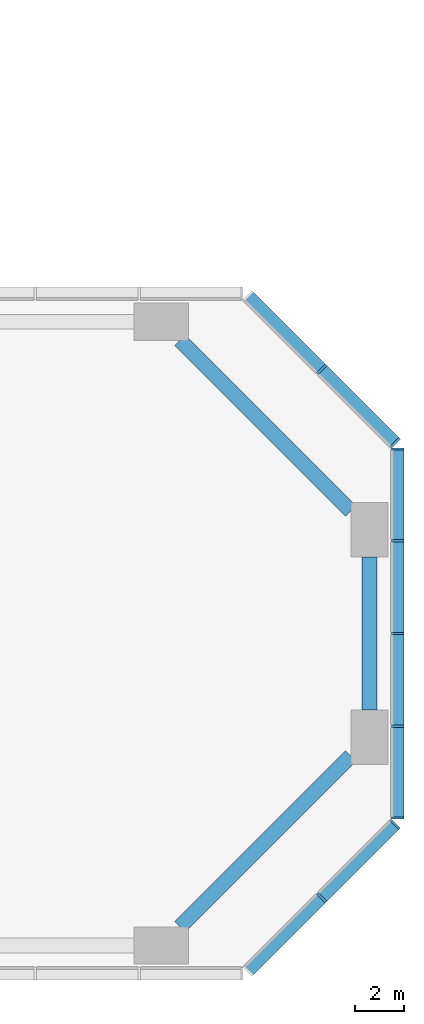
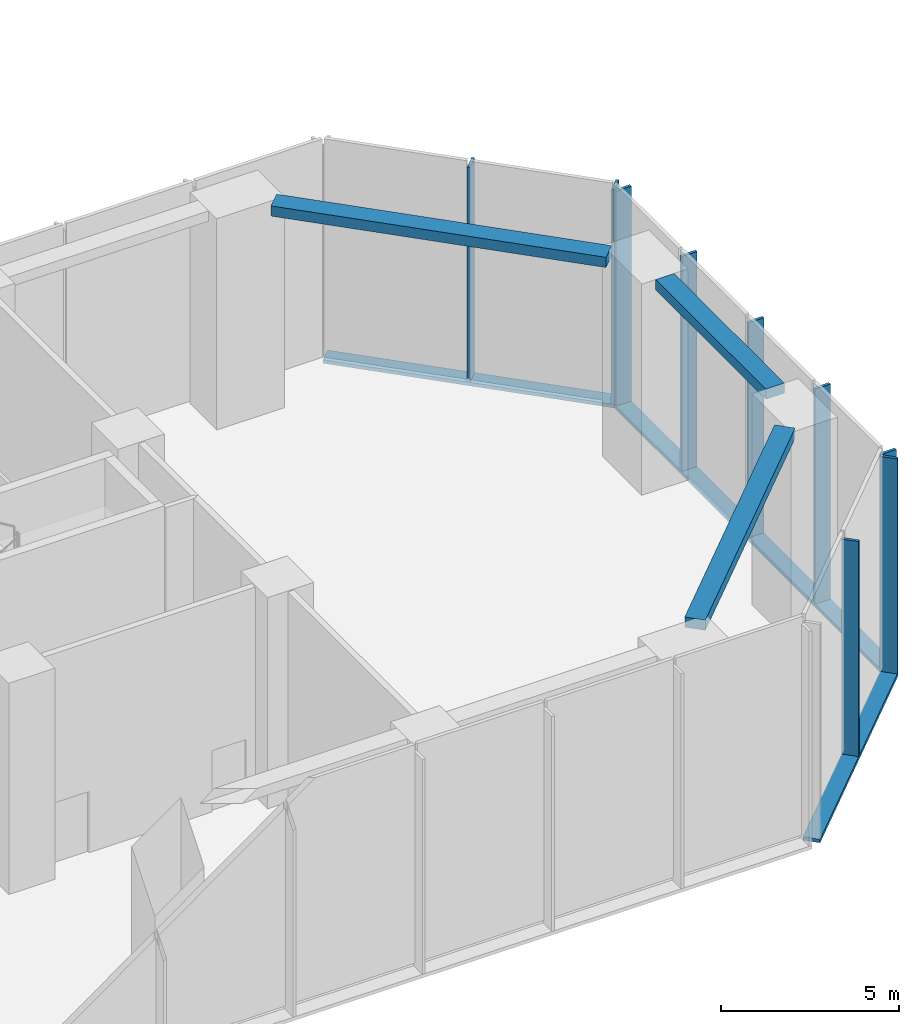
# One storey, part 4 of 16: 12 members, 3 beams, 3 elements without a shape of their own.
"""IFC4 building model written with IfcOpenShell, lengths in metres."""

from ifc_helpers import new_model, si_unit, direction, frame, origin, origin_2d, place, context, subcontext, project, spatial, rectangle, extrude, material, material_profile, profile_set, type_object, element, aggregate, save


model = new_model("IFC4")

# Units and contexts
model_context = context("Model", 3, precision=1e-05, world=origin(), true_north=direction((0.0, 1.0)))
body_context = subcontext(model_context, "Body", "Model", "MODEL_VIEW")
ifc_project = project(units=[si_unit("LENGTHUNIT", "METRE"), si_unit("AREAUNIT", "SQUARE_METRE"), si_unit("VOLUMEUNIT", "CUBIC_METRE"), si_unit("PLANEANGLEUNIT", "RADIAN"), si_unit("MASSUNIT", "GRAM", prefix="KILO")], contexts=[model_context])

# Site, building, storey
site_placement = place(None, origin())
site = spatial("IfcSite", under=ifc_project, at=site_placement, CompositionType="ELEMENT")
building_placement = place(site_placement, origin())
building = spatial("IfcBuilding", under=site, at=building_placement, Name="Brevane Broadcast Tower", CompositionType="ELEMENT")
storey_placement = place(building_placement, frame((0.0, 0.0, 12.5)))
storey = spatial("IfcBuildingStorey", under=building, at=storey_placement, Name="L02", CompositionType="ELEMENT", Elevation=12.5)

# Curtain wall, members
ifc_material_1 = material(Name="Aluminium 6063-T6 bronze anodised", Category="aluminium")
curtain_wall_type = type_object("IfcCurtainWallType", Name="CW-2 curtain wall", PredefinedType="NOTDEFINED", material=ifc_material_1)
curtain_wall_1_placement = place(storey_placement, origin())
curtain_wall_1 = element("IfcCurtainWall", 1, at=curtain_wall_1_placement, inside=storey, type_object=curtain_wall_type, Name="CW-2 podium base unit L02 south-east chamfer", PredefinedType="NOTDEFINED")
ifc_material_profile_1 = material_profile(ifc_material_1, rectangle(XDim=0.5, YDim=0.090087890625, at=origin_2d()), Name="RECT 90x500")
ifc_profile_set_1 = profile_set([ifc_material_profile_1], Name="Aluminium 6063-T6 bronze anodised")
member_type_1 = type_object("IfcMemberType", Name="CW-2 mullion 90x500", PredefinedType="MULLION", material=ifc_profile_set_1)
member_1_placement = place(storey_placement, frame((65.27685546875, 1.92333984375, -0.1298828125), z_axis=(0.0, 0.0, 1.0), x_axis=(-0.707106781187, 0.707106781187, 0.0)))
member_1 = element("IfcMember", 2, at=member_1_placement, type_object=member_type_1, Name="CW-2 mullion", PredefinedType="MULLION", context=body_context, shape_type="SweptSolid", body=[
    extrude(rectangle(XDim=0.5, YDim=0.090087890625, at=origin_2d()), origin(), (0.0, 0.0, 1.0), 7.3798828125),
])
member_2_placement = place(storey_placement, frame((68.244873046875, 4.891357421875, -0.1298828125), z_axis=(0.0, 0.0, 1.0), x_axis=(-0.707106781187, 0.707106781187, 0.0)))
member_2 = element("IfcMember", 3, at=member_2_placement, type_object=member_type_1, Name="CW-2 mullion", PredefinedType="MULLION", context=body_context, shape_type="SweptSolid", body=[
    extrude(rectangle(XDim=0.5, YDim=0.090087890625, at=origin_2d()), origin(), (0.0, 0.0, 1.0), 7.3798828125),
])

curtain_wall_2_placement = place(storey_placement, origin())
curtain_wall_2 = element("IfcCurtainWall", 4, at=curtain_wall_2_placement, inside=storey, type_object=curtain_wall_type, Name="CW-2 podium base unit L02 east end", PredefinedType="NOTDEFINED")
member_3_placement = place(storey_placement, frame((68.35009765625, 5.14501953125, -0.1298828125), z_axis=(0.0, 0.0, 1.0), x_axis=(-1.0, 0.0, 0.0)))
member_3 = element("IfcMember", 5, at=member_3_placement, type_object=member_type_1, Name="CW-2 mullion", PredefinedType="MULLION", context=body_context, shape_type="SweptSolid", body=[
    extrude(rectangle(XDim=0.5, YDim=0.090087890625, at=origin_2d()), origin(), (0.0, 0.0, 1.0), 7.3798828125),
])
member_4_placement = place(storey_placement, frame((68.35009765625, 8.85009765625, -0.1298828125), z_axis=(0.0, 0.0, 1.0), x_axis=(-1.0, 0.0, 0.0)))
member_4 = element("IfcMember", 6, at=member_4_placement, type_object=member_type_1, Name="CW-2 mullion", PredefinedType="MULLION", context=body_context, shape_type="SweptSolid", body=[
    extrude(rectangle(XDim=0.5, YDim=0.090087890625, at=origin_2d()), origin(), (0.0, 0.0, 1.0), 7.3798828125),
])
member_5_placement = place(storey_placement, frame((68.35009765625, 12.60009765625, -0.1298828125), z_axis=(0.0, 0.0, 1.0), x_axis=(-1.0, 0.0, 0.0)))
member_5 = element("IfcMember", 7, at=member_5_placement, type_object=member_type_1, Name="CW-2 mullion", PredefinedType="MULLION", context=body_context, shape_type="SweptSolid", body=[
    extrude(rectangle(XDim=0.5, YDim=0.090087890625, at=origin_2d()), origin(), (0.0, 0.0, 1.0), 7.3798828125),
])
member_6_placement = place(storey_placement, frame((68.35009765625, 16.35009765625, -0.1298828125), z_axis=(0.0, 0.0, 1.0), x_axis=(-1.0, 0.0, 0.0)))
member_6 = element("IfcMember", 8, at=member_6_placement, type_object=member_type_1, Name="CW-2 mullion", PredefinedType="MULLION", context=body_context, shape_type="SweptSolid", body=[
    extrude(rectangle(XDim=0.5, YDim=0.090087890625, at=origin_2d()), origin(), (0.0, 0.0, 1.0), 7.3798828125),
])
member_7_placement = place(storey_placement, frame((68.35009765625, 20.054931640625, -0.1298828125), z_axis=(0.0, 0.0, 1.0), x_axis=(-1.0, 0.0, 0.0)))
member_7 = element("IfcMember", 9, at=member_7_placement, type_object=member_type_1, Name="CW-2 mullion", PredefinedType="MULLION", context=body_context, shape_type="SweptSolid", body=[
    extrude(rectangle(XDim=0.5, YDim=0.090087890625, at=origin_2d()), origin(), (0.0, 0.0, 1.0), 7.3798828125),
])

curtain_wall_3_placement = place(storey_placement, origin())
curtain_wall_3 = element("IfcCurtainWall", 10, at=curtain_wall_3_placement, inside=storey, type_object=curtain_wall_type, Name="CW-2 podium base unit L02 north-east chamfer", PredefinedType="NOTDEFINED")
member_8_placement = place(storey_placement, frame((68.244873046875, 20.30859375, -0.1298828125), z_axis=(0.0, 0.0, 1.0), x_axis=(-0.707106781187, -0.707106781187, 0.0)))
member_8 = element("IfcMember", 11, at=member_8_placement, type_object=member_type_1, Name="CW-2 mullion", PredefinedType="MULLION", context=body_context, shape_type="SweptSolid", body=[
    extrude(rectangle(XDim=0.5, YDim=0.090087890625, at=origin_2d()), origin(), (0.0, 0.0, 1.0), 7.3798828125),
])
member_9_placement = place(storey_placement, frame((65.27685546875, 23.27685546875, -0.1298828125), z_axis=(0.0, 0.0, 1.0), x_axis=(-0.707106781187, -0.707106781187, 0.0)))
member_9 = element("IfcMember", 12, at=member_9_placement, type_object=member_type_1, Name="CW-2 mullion", PredefinedType="MULLION", context=body_context, shape_type="SweptSolid", body=[
    extrude(rectangle(XDim=0.5, YDim=0.090087890625, at=origin_2d()), origin(), (0.0, 0.0, 1.0), 7.3798828125),
])

# Member
ifc_material_profile_2 = material_profile(ifc_material_1, rectangle(XDim=0.5, YDim=0.1201171875, at=origin_2d()), Name="RECT 120x500")
ifc_profile_set_2 = profile_set([ifc_material_profile_2], Name="Aluminium 6063-T6 bronze anodised")
member_type_2 = type_object("IfcMemberType", Name="CW-2 transom 120x500", PredefinedType="USERDEFINED", material=ifc_profile_set_2)
member_10_placement = place(storey_placement, frame((62.27685546875, -1.07666015625, -0.18994140625), z_axis=(0.707106781187, 0.707106781187, 0.0), x_axis=(-0.707106781187, 0.707106781187, 0.0)))
member_10 = element("IfcMember", 13, at=member_10_placement, type_object=member_type_2, Name="CW-2 transom", ObjectType="TRANSOM", PredefinedType="USERDEFINED", context=body_context, shape_type="SweptSolid", body=[
    extrude(rectangle(XDim=0.5, YDim=0.1201171875, at=origin_2d()), origin(), (0.0, 0.0, 1.0), 8.4853515625),
])

aggregate(curtain_wall_1, [member_1, member_2, member_10])

member_11_placement = place(storey_placement, frame((68.35009765625, 5.10009765625, -0.18994140625), z_axis=(0.0, 1.0, 0.0), x_axis=(-1.0, 0.0, 0.0)))
member_11 = element("IfcMember", 14, at=member_11_placement, type_object=member_type_2, Name="CW-2 transom", ObjectType="TRANSOM", PredefinedType="USERDEFINED", context=body_context, shape_type="SweptSolid", body=[
    extrude(rectangle(XDim=0.5, YDim=0.1201171875, at=origin_2d()), origin(), (0.0, 0.0, 1.0), 15.0),
])

aggregate(curtain_wall_2, [member_3, member_4, member_5, member_6, member_7, member_11])

member_12_placement = place(storey_placement, frame((68.27685546875, 20.27685546875, -0.18994140625), z_axis=(-0.707106781187, 0.707106781187, 0.0), x_axis=(-0.707106781187, -0.707106781187, 0.0)))
member_12 = element("IfcMember", 15, at=member_12_placement, type_object=member_type_2, Name="CW-2 transom", ObjectType="TRANSOM", PredefinedType="USERDEFINED", context=body_context, shape_type="SweptSolid", body=[
    extrude(rectangle(XDim=0.5, YDim=0.1201171875, at=origin_2d()), origin(), (0.0, 0.0, 1.0), 8.4853515625),
])

aggregate(curtain_wall_3, [member_8, member_9, member_12])

# Beams
ifc_material_2 = material(Name="Concrete C40/50", Category="concrete")
ifc_material_profile_3 = material_profile(ifc_material_2, rectangle(XDim=0.60009765625, YDim=0.35009765625, at=origin_2d()), Name="RC 600x350")
ifc_profile_set_3 = profile_set([ifc_material_profile_3], Name="Concrete C40/50")
beam_type = type_object("IfcBeamType", Name="RC SPANDREL BEAM 600x350 C40/50", PredefinedType="SPANDREL", material=ifc_profile_set_3)
beam_1_placement = place(storey_placement, frame((59.550048828125, 0.75, 7.074951171875), z_axis=(0.707106781187, 0.707106781187, 0.0), x_axis=(-0.707106781187, 0.707106781187, 0.0)))
element("IfcBeam", 16, at=beam_1_placement, inside=storey, type_object=beam_type, Name="EB1 L02-5", PredefinedType="SPANDREL", context=body_context, shape_type="SweptSolid", body=[
    extrude(rectangle(XDim=0.60009765625, YDim=0.35009765625, at=origin_2d()), origin(), (0.0, 0.0, 1.0), 9.758056640625),
])
beam_2_placement = place(storey_placement, frame((67.199951171875, 9.5, 7.074951171875), z_axis=(0.0, 1.0, 0.0), x_axis=(-1.0, 0.0, 0.0)))
element("IfcBeam", 17, at=beam_2_placement, inside=storey, type_object=beam_type, Name="EB1 L02-6", PredefinedType="SPANDREL", context=body_context, shape_type="SweptSolid", body=[
    extrude(rectangle(XDim=0.60009765625, YDim=0.35009765625, at=origin_2d()), origin(), (0.0, 0.0, 1.0), 6.199951171875),
])
beam_3_placement = place(storey_placement, frame((66.449951171875, 17.550048828125, 7.074951171875), z_axis=(-0.707106781187, 0.707106781187, 0.0), x_axis=(-0.707106781187, -0.707106781187, 0.0)))
element("IfcBeam", 18, at=beam_3_placement, inside=storey, type_object=beam_type, Name="EB1 L02-7", PredefinedType="SPANDREL", context=body_context, shape_type="SweptSolid", body=[
    extrude(rectangle(XDim=0.60009765625, YDim=0.35009765625, at=origin_2d()), origin(), (0.0, 0.0, 1.0), 9.758056640625),
])

save(model, "model.ifc")
